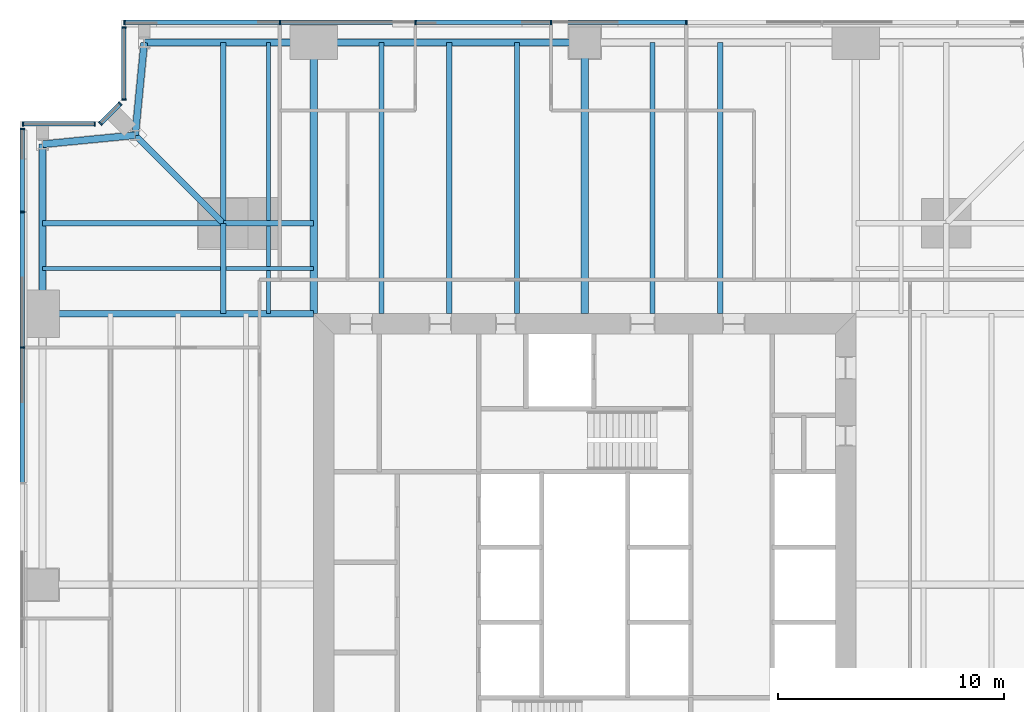
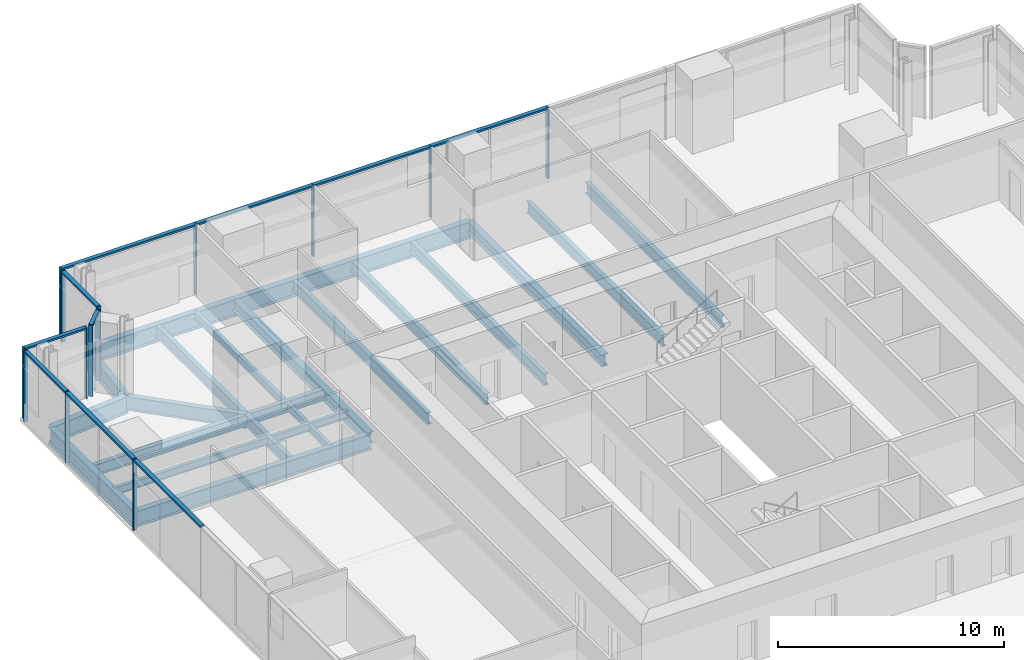
# One storey, part 6 of 14: 24 members, 23 beams, 5 elements without a shape of their own.
"""IFC4 building model written with IfcOpenShell, lengths in metres."""

import ifcopenshell
import ifcopenshell.guid

model = None  # the IFC model being written
_history = None  # IfcOwnerHistory: only IFC2X3 demands one
_inside = {}  # id of a spatial element -> (the spatial element, [elements in it])
_under = {}  # id of a project, library or spatial element -> (it, [spatial elements below it])
_declared = {}  # id of a project -> (the project, [libraries it declares])
_typed = {}  # id of a type object -> (the type object, [elements of that type])
_made_of = {}  # id of a material, layer set ... -> (it, [elements and type objects made of it])


def new_model(schema):
    """Start an empty IFC model of exactly this schema.

    Asked for "IFC4X3", IfcOpenShell would pick the latest addendum, in which some entities
    have other attributes; the version numbers below select the first issue.
    IFC2X3 requires an IfcOwnerHistory on every rooted entity: one is made here for all.
    """
    global model, _history
    if schema == "IFC4X3":
        model = ifcopenshell.file(schema_version=(4, 3, 0, 0))
    else:
        model = ifcopenshell.file(schema=schema)
    _inside.clear()
    _under.clear()
    _declared.clear()
    _typed.clear()
    _made_of.clear()
    _history = None
    if model.schema == "IFC2X3":
        org = make("IfcOrganization", Name="unknown")
        user = make(
            "IfcPersonAndOrganization",
            ThePerson=make("IfcPerson", FamilyName="unknown"),
            TheOrganization=org,
        )
        app = make(
            "IfcApplication",
            ApplicationDeveloper=org,
            Version="unknown",
            ApplicationFullName="unknown",
            ApplicationIdentifier="unknown",
        )
        _history = make(
            "IfcOwnerHistory",
            OwningUser=user,
            OwningApplication=app,
            ChangeAction="ADDED",
            CreationDate=0,
        )
    return model


def make(cls, **values):
    """One entity of the class cls with the attributes given. An attribute that is None is left unset."""
    return model.create_entity(
        cls, **{name: value for name, value in values.items() if value is not None}
    )


def rooted(cls, **values):
    """An entity with a GlobalId (a new one), such as an element, a storey or a relation."""
    return make(cls, GlobalId=ifcopenshell.guid.new(), OwnerHistory=_history, **values)


def si_unit(unit_type, name, prefix=None):
    """IfcSIUnit, for example si_unit("LENGTHUNIT", "METRE", prefix="MILLI")."""
    return make("IfcSIUnit", UnitType=unit_type, Prefix=prefix, Name=name)


def assignment(units):
    """IfcUnitAssignment: the units of a project."""
    return None if units is None else make("IfcUnitAssignment", Units=units)


def point(xyz):
    """IfcCartesianPoint."""
    return None if xyz is None else make("IfcCartesianPoint", Coordinates=xyz)


def direction(xyz):
    """IfcDirection."""
    return None if xyz is None else make("IfcDirection", DirectionRatios=xyz)


def frame(location, z_axis=None, x_axis=None):
    """IfcAxis2Placement3D, a coordinate frame: its origin and axes. An axis left out is left unset."""
    return make(
        "IfcAxis2Placement3D",
        Location=point(location),
        Axis=direction(z_axis),
        RefDirection=direction(x_axis),
    )


def frame_2d(location, x_axis=None):
    """IfcAxis2Placement2D, a coordinate frame in the plane: its origin and x axis."""
    return make(
        "IfcAxis2Placement2D", Location=point(location), RefDirection=direction(x_axis)
    )


def origin():
    """The frame at (0, 0, 0) with its axes left unset."""
    return frame((0.0, 0.0, 0.0))


def origin_2d():
    """The frame at (0, 0) in the plane with its x axis left unset."""
    return frame_2d((0.0, 0.0))


def place(relative_to, where):
    """IfcLocalPlacement: puts the frame where relative to a parent placement (None: the world)."""
    return make(
        "IfcLocalPlacement", PlacementRelTo=relative_to, RelativePlacement=where
    )


def context(
    kind, dimensions, precision=None, world=None, true_north=None, identifier=None
):
    """IfcGeometricRepresentationContext, for example the 3D "Model" context."""
    return make(
        "IfcGeometricRepresentationContext",
        ContextIdentifier=identifier,
        ContextType=kind,
        CoordinateSpaceDimension=dimensions,
        Precision=precision,
        WorldCoordinateSystem=world,
        TrueNorth=true_north,
    )


def subcontext(parent, identifier, kind, view, scale=None):
    """IfcGeometricRepresentationSubContext, for example "Body" below "Model"."""
    return make(
        "IfcGeometricRepresentationSubContext",
        ContextIdentifier=identifier,
        ContextType=kind,
        ParentContext=parent,
        TargetScale=scale,
        TargetView=view,
    )


def project(units=None, contexts=None):
    """IfcProject with its units and contexts."""
    return rooted(
        "IfcProject",
        Name="project",
        RepresentationContexts=contexts,
        UnitsInContext=assignment(units),
    )


def spatial(cls, under=None, at=None, **own):
    """A site, building, storey or space (cls), placed at a placement, below another one or the project."""
    s = rooted(cls, ObjectPlacement=at, **own)
    if under is not None:
        _under.setdefault(under.id(), (under, []))[1].append(s)
    return s


def profile(cls, at=None, kind="AREA", **sizes):
    """A parametric profile (cls). Its sizes go by their IFC names, for example OverallWidth=200.0."""
    return make(cls, ProfileType=kind, Position=at, **sizes)


def rectangle(**sizes):
    """IfcRectangleProfileDef."""
    return profile("IfcRectangleProfileDef", **sizes)


def i_section(**sizes):
    """IfcIShapeProfileDef."""
    return profile("IfcIShapeProfileDef", **sizes)


def extrude(swept, where, along, depth):
    """IfcExtrudedAreaSolid: the profile swept, set in the frame where, extruded along a direction by depth."""
    return make(
        "IfcExtrudedAreaSolid",
        SweptArea=swept,
        Position=where,
        ExtrudedDirection=direction(along),
        Depth=depth,
    )


def shape(context_of_items, identifier, shape_type, items):
    """IfcShapeRepresentation: the items that make up one representation, for example the "Body"."""
    return make(
        "IfcShapeRepresentation",
        ContextOfItems=context_of_items,
        RepresentationIdentifier=identifier,
        RepresentationType=shape_type,
        Items=items,
    )


def material(Name=None, Category=None):
    """IfcMaterial."""
    return make("IfcMaterial", Name=Name, Category=Category)


def material_profile(
    of_material, cross_section, Name=None, Category=None, Priority=None
):
    """IfcMaterialProfile: a cross section and its material."""
    return make(
        "IfcMaterialProfile",
        Name=Name,
        Material=of_material,
        Profile=cross_section,
        Priority=Priority,
        Category=Category,
    )


def profile_set(profiles, Name=None, composite=None):
    """IfcMaterialProfileSet."""
    return make(
        "IfcMaterialProfileSet",
        Name=Name,
        MaterialProfiles=profiles,
        CompositeProfile=composite,
    )


def made_of(thing, what):
    """Note that an element or type object is made of a material, layer set ...; save() writes the relation."""
    if what is not None:
        _made_of.setdefault(what.id(), (what, []))[1].append(thing)
    return thing


def type_object(cls, material=None, **own):
    """A type object (cls), such as IfcWallType, which elements share."""
    return made_of(rooted(cls, **own), material)


def element(
    cls,
    number,
    at=None,
    inside=None,
    cuts=None,
    type_object=None,
    material=None,
    context=None,
    identifier="Body",
    shape_type=None,
    held_by="IfcProductDefinitionShape",
    body=None,
    shapes=None,
    **own,
):
    """One element of the class cls, such as IfcWall. Its Tag is "e" and its number.

    at: its placement. inside: the storey or other place that contains it. cuts: it is an
    opening in that element (IfcRelVoidsElement). A single representation is given by context,
    identifier, shape_type and body (its items); several are given by shapes. held_by: the class
    of the entity that holds the representations. save() writes the other relations.
    """
    e = rooted(cls, Tag="e%d" % number, ObjectPlacement=at, **own)
    if body is not None:
        shapes = [shape(context, identifier, shape_type, body)]
    if shapes is not None:
        e.Representation = make(held_by, Representations=shapes)
    if inside is not None:
        _inside.setdefault(inside.id(), (inside, []))[1].append(e)
    if cuts is not None:
        rooted(
            "IfcRelVoidsElement", RelatingBuildingElement=cuts, RelatedOpeningElement=e
        )
    if type_object is not None:
        _typed.setdefault(type_object.id(), (type_object, []))[1].append(e)
    return made_of(e, material)


def aggregate(whole, parts):
    """IfcRelAggregates: a whole, such as a stair, and the parts it consists of."""
    return rooted("IfcRelAggregates", RelatingObject=whole, RelatedObjects=parts)


def save(model, path):
    """Write the relations noted so far, then the file.

    IfcRelAggregates (storeys below a building ...), IfcRelContainedInSpatialStructure (elements
    in a storey), IfcRelDefinesByType, IfcRelAssociatesMaterial and IfcRelDeclares: one each for
    every whole, place, type object, material and project.
    """
    for whole, parts in _under.values():
        aggregate(whole, parts)
    for where, things in _inside.values():
        rooted(
            "IfcRelContainedInSpatialStructure",
            RelatedElements=things,
            RelatingStructure=where,
        )
    for kind, things in _typed.values():
        rooted("IfcRelDefinesByType", RelatedObjects=things, RelatingType=kind)
    for what, things in _made_of.values():
        rooted("IfcRelAssociatesMaterial", RelatedObjects=things, RelatingMaterial=what)
    for by, libraries in _declared.values():
        rooted("IfcRelDeclares", RelatingContext=by, RelatedDefinitions=libraries)
    model.write(path)


model = new_model("IFC4")

# Units and contexts
model_context = context("Model", 3, precision=1e-05, world=origin(), true_north=direction((0.0, 1.0)))
body_context = subcontext(model_context, "Body", "Model", "MODEL_VIEW")
ifc_project = project(units=[si_unit("LENGTHUNIT", "METRE"), si_unit("AREAUNIT", "SQUARE_METRE"), si_unit("VOLUMEUNIT", "CUBIC_METRE"), si_unit("PLANEANGLEUNIT", "RADIAN"), si_unit("MASSUNIT", "GRAM", prefix="KILO")], contexts=[model_context])

# Site, building, storey
site_placement = place(None, origin())
site = spatial("IfcSite", under=ifc_project, at=site_placement, CompositionType="ELEMENT")
building_placement = place(site_placement, origin())
building = spatial("IfcBuilding", under=site, at=building_placement, Name="Fenwick Lantern Interchange", CompositionType="ELEMENT")
storey_placement = place(building_placement, frame((0.0, 0.0, 118.39990234375)))
storey = spatial("IfcBuildingStorey", under=building, at=storey_placement, Name="L27", CompositionType="ELEMENT", Elevation=118.39990234375)

# Beams
ifc_material_1 = material(Name="Steel ASTM A992 Grade 50", Category="steel")
ifc_material_profile_1 = material_profile(ifc_material_1, i_section(OverallWidth=0.3046875, OverallDepth=0.911865234375, WebThickness=0.015869140625, FlangeThickness=0.02392578125, at=origin_2d()), Name="W36X150")
ifc_profile_set_1 = profile_set([ifc_material_profile_1], Name="Steel ASTM A992 Grade 50")
beam_type_1 = type_object("IfcBeamType", Name="EDGE BEAM W36X150", PredefinedType="SPANDREL", material=ifc_profile_set_1)
beam_1_placement = place(storey_placement, frame((25.0, 49.0, -0.605712890625), z_axis=(-1.0, 0.0, 0.0), x_axis=(0.0, -1.0, 0.0)))
element("IfcBeam", 1, at=beam_1_placement, inside=storey, type_object=beam_type_1, Name="L27/FR/N/EB3", PredefinedType="SPANDREL", context=body_context, shape_type="SweptSolid", body=[
    extrude(i_section(OverallWidth=0.3046875, OverallDepth=0.911865234375, WebThickness=0.015869140625, FlangeThickness=0.02392578125, at=origin_2d()), origin(), (0.0, 0.0, 1.0), 12.0),
])
beam_2_placement = place(storey_placement, frame((13.0, 49.0, -0.605712890625), z_axis=(-1.0, 0.0, 0.0), x_axis=(0.0, -1.0, 0.0)))
element("IfcBeam", 2, at=beam_2_placement, inside=storey, type_object=beam_type_1, Name="L27/FR/N/EB4", PredefinedType="SPANDREL", context=body_context, shape_type="SweptSolid", body=[
    extrude(i_section(OverallWidth=0.3046875, OverallDepth=0.911865234375, WebThickness=0.015869140625, FlangeThickness=0.02392578125, at=origin_2d()), origin(), (0.0, 0.0, 1.0), 7.5),
])
for number, where, z_axis, x_axis, name in (
    (3, (5.5, 49.0, -0.605712890625), (-0.097074191287, -0.995277148028, 0.0), (0.995277148028, -0.097074191287, 0.0), "L27/FR/N/EBR1"),
    (4, (5.10009765625, 44.89990234375, -0.605712890625), (-0.995277148028, -0.097074191287, 0.0), (0.097074191287, -0.995277148028, 0.0), "L27/FR/N/EBR2"),
):
    element("IfcBeam", number, at=place(storey_placement, frame(where, z_axis=z_axis, x_axis=x_axis)), inside=storey, type_object=beam_type_1, Name=name, PredefinedType="SPANDREL", context=body_context, shape_type="SweptSolid", body=[
        extrude(i_section(OverallWidth=0.3046875, OverallDepth=0.911865234375, WebThickness=0.015869140625, FlangeThickness=0.02392578125, at=origin_2d()), origin(), (0.0, 0.0, 1.0), 4.11962890625),
    ])
beam_3_placement = place(storey_placement, frame((1.0, 44.5, -0.605712890625), z_axis=(0.0, -1.0, 0.0), x_axis=(1.0, 0.0, 0.0)))
element("IfcBeam", 5, at=beam_3_placement, inside=storey, type_object=beam_type_1, Name="L27/FR/W/EB1", PredefinedType="SPANDREL", context=body_context, shape_type="SweptSolid", body=[
    extrude(i_section(OverallWidth=0.3046875, OverallDepth=0.911865234375, WebThickness=0.015869140625, FlangeThickness=0.02392578125, at=origin_2d()), origin(), (0.0, 0.0, 1.0), 7.5),
])
ifc_material_profile_2 = material_profile(ifc_material_1, i_section(OverallWidth=0.22900390625, OverallDepth=0.612060546875, WebThickness=0.011962890625, FlangeThickness=0.01953125, at=origin_2d()), Name="W24X84")
ifc_profile_set_2 = profile_set([ifc_material_profile_2], Name="Steel ASTM A992 Grade 50")
beam_type_2 = type_object("IfcBeamType", Name="FLOOR BEAM W24X84", PredefinedType="BEAM", material=ifc_profile_set_2)
for number, where, z_axis, x_axis, name in (
    (6, (31.0, 49.0, -0.4560546875), (0.0, -1.0, 0.0), (1.0, 0.0, 0.0), "L27/FR/N/R03"),
    (7, (28.0, 49.0, -0.4560546875), (0.0, -1.0, 0.0), (1.0, 0.0, 0.0), "L27/FR/N/R04"),
    (8, (22.0, 49.0, -0.4560546875), (0.0, -1.0, 0.0), (1.0, 0.0, 0.0), "L27/FR/N/R06"),
    (9, (19.0, 49.0, -0.4560546875), (0.0, -1.0, 0.0), (1.0, 0.0, 0.0), "L27/FR/N/R07"),
    (10, (16.0, 49.0, -0.4560546875), (0.0, -1.0, 0.0), (1.0, 0.0, 0.0), "L27/FR/N/R08"),
):
    element("IfcBeam", number, at=place(storey_placement, frame(where, z_axis=z_axis, x_axis=x_axis)), inside=storey, type_object=beam_type_2, Name=name, PredefinedType="BEAM", context=body_context, shape_type="SweptSolid", body=[
        extrude(i_section(OverallWidth=0.22900390625, OverallDepth=0.612060546875, WebThickness=0.011962890625, FlangeThickness=0.01953125, at=origin_2d()), origin(), (0.0, 0.0, 1.0), 12.0),
    ])
ifc_material_profile_3 = material_profile(ifc_material_1, i_section(OverallWidth=0.177734375, OverallDepth=0.406494140625, WebThickness=0.0078125, FlangeThickness=0.012939453125, at=origin_2d()), Name="W16X40")
ifc_profile_set_3 = profile_set([ifc_material_profile_3], Name="Steel ASTM A992 Grade 50")
beam_type_3 = type_object("IfcBeamType", Name="INFILL BEAM W16X40", PredefinedType="JOIST", material=ifc_profile_set_3)
beam_4_placement = place(storey_placement, frame((1.0, 39.0, -0.35302734375), z_axis=(1.0, 0.0, 0.0), x_axis=(0.0, 1.0, 0.0)))
element("IfcBeam", 11, at=beam_4_placement, inside=storey, type_object=beam_type_3, Name="L27/FR/W/J1", PredefinedType="JOIST", context=body_context, shape_type="SweptSolid", body=[
    extrude(i_section(OverallWidth=0.177734375, OverallDepth=0.406494140625, WebThickness=0.0078125, FlangeThickness=0.012939453125, at=origin_2d()), origin(), (0.0, 0.0, 1.0), 7.885498046875),
])
beam_5_placement = place(storey_placement, frame((9.114501953125, 39.0, -0.35302734375), z_axis=(1.0, 0.0, 0.0), x_axis=(0.0, 1.0, 0.0)))
element("IfcBeam", 12, at=beam_5_placement, inside=storey, type_object=beam_type_3, Name="L27/FR/W/J2", PredefinedType="JOIST", context=body_context, shape_type="SweptSolid", body=[
    extrude(i_section(OverallWidth=0.177734375, OverallDepth=0.406494140625, WebThickness=0.0078125, FlangeThickness=0.012939453125, at=origin_2d()), origin(), (0.0, 0.0, 1.0), 3.885498046875),
])
beam_6_placement = place(storey_placement, frame((11.0, 49.0, -0.35302734375), z_axis=(0.0, -1.0, 0.0), x_axis=(1.0, 0.0, 0.0)))
element("IfcBeam", 13, at=beam_6_placement, inside=storey, type_object=beam_type_3, Name="L27/FR/W/J3", PredefinedType="JOIST", context=body_context, shape_type="SweptSolid", body=[
    extrude(i_section(OverallWidth=0.177734375, OverallDepth=0.406494140625, WebThickness=0.0078125, FlangeThickness=0.012939453125, at=origin_2d()), origin(), (0.0, 0.0, 1.0), 7.885498046875),
])
beam_7_placement = place(storey_placement, frame((11.0, 40.885498046875, -0.35302734375), z_axis=(0.0, -1.0, 0.0), x_axis=(1.0, 0.0, 0.0)))
element("IfcBeam", 14, at=beam_7_placement, inside=storey, type_object=beam_type_3, Name="L27/FR/W/J4", PredefinedType="JOIST", context=body_context, shape_type="SweptSolid", body=[
    extrude(i_section(OverallWidth=0.177734375, OverallDepth=0.406494140625, WebThickness=0.0078125, FlangeThickness=0.012939453125, at=origin_2d()), origin(), (0.0, 0.0, 1.0), 1.796630859375),
])
beam_8_placement = place(storey_placement, frame((11.0, 38.9111328125, -0.35302734375), z_axis=(0.0, -1.0, 0.0), x_axis=(1.0, 0.0, 0.0)))
element("IfcBeam", 15, at=beam_8_placement, inside=storey, type_object=beam_type_3, Name="L27/FR/W/J5", PredefinedType="JOIST", context=body_context, shape_type="SweptSolid", body=[
    extrude(i_section(OverallWidth=0.177734375, OverallDepth=0.406494140625, WebThickness=0.0078125, FlangeThickness=0.012939453125, at=origin_2d()), origin(), (0.0, 0.0, 1.0), 1.9111328125),
])
ifc_material_profile_4 = material_profile(ifc_material_1, i_section(OverallWidth=0.22900390625, OverallDepth=0.612060546875, WebThickness=0.011962890625, FlangeThickness=0.01953125, at=origin_2d()), Name="W24X84")
ifc_profile_set_4 = profile_set([ifc_material_profile_4], Name="Steel ASTM A992 Grade 50")
beam_type_4 = type_object("IfcBeamType", Name="MEGA COLUMN BEAM W24X84", PredefinedType="BEAM", material=ifc_profile_set_4)
for number, where, z_axis, x_axis, name in (
    (16, (9.0, 41.0, -0.4560546875), (-1.0, 0.0, 0.0), (0.0, -1.0, 0.0), "L27/FR/W/MB1"),
    (17, (9.0, 41.0, -0.4560546875), (0.0, 1.0, 0.0), (-1.0, 0.0, 0.0), "L27/FR/W/MB2"),
):
    element("IfcBeam", number, at=place(storey_placement, frame(where, z_axis=z_axis, x_axis=x_axis)), inside=storey, type_object=beam_type_4, Name=name, PredefinedType="BEAM", context=body_context, shape_type="SweptSolid", body=[
        extrude(i_section(OverallWidth=0.22900390625, OverallDepth=0.612060546875, WebThickness=0.011962890625, FlangeThickness=0.01953125, at=origin_2d()), origin(), (0.0, 0.0, 1.0), 8.0),
    ])
for number, where, z_axis, x_axis, name in (
    (18, (9.0, 41.0, -0.4560546875), (0.0, -1.0, 0.0), (1.0, 0.0, 0.0), "L27/FR/W/MB3"),
    (19, (9.0, 41.0, -0.4560546875), (1.0, 0.0, 0.0), (0.0, 1.0, 0.0), "L27/FR/W/MB4"),
):
    element("IfcBeam", number, at=place(storey_placement, frame(where, z_axis=z_axis, x_axis=x_axis)), inside=storey, type_object=beam_type_4, Name=name, PredefinedType="BEAM", context=body_context, shape_type="SweptSolid", body=[
        extrude(i_section(OverallWidth=0.22900390625, OverallDepth=0.612060546875, WebThickness=0.011962890625, FlangeThickness=0.01953125, at=origin_2d()), origin(), (0.0, 0.0, 1.0), 4.0),
    ])
ifc_material_profile_5 = material_profile(ifc_material_1, i_section(OverallWidth=0.32763671875, OverallDepth=0.622314453125, WebThickness=0.015380859375, FlangeThickness=0.0244140625, at=origin_2d()), Name="W24X131")
ifc_profile_set_5 = profile_set([ifc_material_profile_5], Name="Steel ASTM A992 Grade 50")
beam_type_5 = type_object("IfcBeamType", Name="MOMENT-CONNECTED GIRDER W24X131", PredefinedType="BEAM", material=ifc_profile_set_5)
for number, where, z_axis, x_axis, name in (
    (20, (25.0, 49.0, -0.4609375), (0.0, -1.0, 0.0), (1.0, 0.0, 0.0), "L27/FR/N/R05"),
    (21, (13.0, 49.0, -0.4609375), (0.0, -1.0, 0.0), (1.0, 0.0, 0.0), "L27/FR/N/R09"),
):
    element("IfcBeam", number, at=place(storey_placement, frame(where, z_axis=z_axis, x_axis=x_axis)), inside=storey, type_object=beam_type_5, Name=name, PredefinedType="BEAM", context=body_context, shape_type="SweptSolid", body=[
        extrude(i_section(OverallWidth=0.32763671875, OverallDepth=0.622314453125, WebThickness=0.015380859375, FlangeThickness=0.0244140625, at=origin_2d()), origin(), (0.0, 0.0, 1.0), 12.0),
    ])
ifc_material_profile_6 = material_profile(ifc_material_1, i_section(OverallWidth=0.2919921875, OverallDepth=0.845703125, WebThickness=0.015380859375, FlangeThickness=0.0244140625, at=origin_2d()), Name="W33X141")
ifc_profile_set_6 = profile_set([ifc_material_profile_6], Name="Steel ASTM A992 Grade 50")
beam_type_6 = type_object("IfcBeamType", Name="MOMENT-CONNECTED GIRDER W33X141", PredefinedType="BEAM", material=ifc_profile_set_6)
beam_9_placement = place(storey_placement, frame((1.0, 37.0, -0.57275390625), z_axis=(1.0, 0.0, 0.0), x_axis=(0.0, 1.0, 0.0)))
element("IfcBeam", 22, at=beam_9_placement, inside=storey, type_object=beam_type_6, Name="L27/FR/W/R01", PredefinedType="BEAM", context=body_context, shape_type="SweptSolid", body=[
    extrude(i_section(OverallWidth=0.2919921875, OverallDepth=0.845703125, WebThickness=0.015380859375, FlangeThickness=0.0244140625, at=origin_2d()), origin(), (0.0, 0.0, 1.0), 12.0),
])
ifc_material_profile_7 = material_profile(ifc_material_1, i_section(OverallWidth=0.2666015625, OverallDepth=0.7568359375, WebThickness=0.013916015625, FlangeThickness=0.019287109375, at=origin_2d()), Name="W30X108")
ifc_profile_set_7 = profile_set([ifc_material_profile_7], Name="Steel ASTM A992 Grade 50")
beam_type_7 = type_object("IfcBeamType", Name="NOTCH BEAM W30X108", PredefinedType="BEAM", material=ifc_profile_set_7)
beam_10_placement = place(storey_placement, frame((9.0, 41.0, -0.5283203125), z_axis=(-0.707106781187, 0.707106781187, 0.0), x_axis=(-0.707106781187, -0.707106781187, 0.0)))
element("IfcBeam", 23, at=beam_10_placement, inside=storey, type_object=beam_type_7, Name="L27/FR/W/TG", PredefinedType="BEAM", context=body_context, shape_type="SweptSolid", body=[
    extrude(i_section(OverallWidth=0.2666015625, OverallDepth=0.7568359375, WebThickness=0.013916015625, FlangeThickness=0.019287109375, at=origin_2d()), origin(), (0.0, 0.0, 1.0), 5.515380859375),
])

# Curtain wall, members
ifc_material_2 = material(Name="Aluminium curtain wall frame", Category="aluminium")
curtain_wall_type = type_object("IfcCurtainWallType", Name="OFFICE CURTAIN WALL", PredefinedType="USERDEFINED", material=ifc_material_2)
curtain_wall_1_placement = place(storey_placement, origin())
curtain_wall_1 = element("IfcCurtainWall", 24, at=curtain_wall_1_placement, inside=storey, type_object=curtain_wall_type, Name="Office curtain wall 09", ObjectType="OFFICE CURTAIN WALL", PredefinedType="USERDEFINED")
ifc_material_3 = material(Name="Aluminium extrusion", Category="aluminium")
ifc_material_profile_8 = material_profile(ifc_material_3, rectangle(XDim=0.199951171875, YDim=0.06494140625, at=origin_2d()), Name="OFFICE CURTAIN WALL MULLION 65 X 200")
ifc_profile_set_8 = profile_set([ifc_material_profile_8], Name="Aluminium extrusion")
member_type_1 = type_object("IfcMemberType", Name="OFFICE CURTAIN WALL MULLION 65 X 200", PredefinedType="MULLION", material=ifc_profile_set_8)
member_1_placement = place(storey_placement, frame((29.5, 49.89990234375, 0.0), z_axis=(0.0, 0.0, 1.0), x_axis=(0.0, -1.0, 0.0)))
member_1 = element("IfcMember", 25, at=member_1_placement, type_object=member_type_1, Name="L27/CW/09/M03", PredefinedType="MULLION", context=body_context, shape_type="SweptSolid", body=[
    extrude(rectangle(XDim=0.199951171875, YDim=0.06494140625, at=origin_2d()), origin(), (0.0, 0.0, 1.0), 3.85009765625),
])
member_2_placement = place(storey_placement, frame((23.5, 49.89990234375, 0.0), z_axis=(0.0, 0.0, 1.0), x_axis=(0.0, -1.0, 0.0)))
member_2 = element("IfcMember", 26, at=member_2_placement, type_object=member_type_1, Name="L27/CW/09/M04", PredefinedType="MULLION", context=body_context, shape_type="SweptSolid", body=[
    extrude(rectangle(XDim=0.199951171875, YDim=0.06494140625, at=origin_2d()), origin(), (0.0, 0.0, 1.0), 3.85009765625),
])
member_3_placement = place(storey_placement, frame((17.5, 49.89990234375, 0.0), z_axis=(0.0, 0.0, 1.0), x_axis=(0.0, -1.0, 0.0)))
member_3 = element("IfcMember", 27, at=member_3_placement, type_object=member_type_1, Name="L27/CW/09/M05", PredefinedType="MULLION", context=body_context, shape_type="SweptSolid", body=[
    extrude(rectangle(XDim=0.199951171875, YDim=0.06494140625, at=origin_2d()), origin(), (0.0, 0.0, 1.0), 3.85009765625),
])
member_4_placement = place(storey_placement, frame((11.5, 49.89990234375, 0.0), z_axis=(0.0, 0.0, 1.0), x_axis=(0.0, -1.0, 0.0)))
member_4 = element("IfcMember", 28, at=member_4_placement, type_object=member_type_1, Name="L27/CW/09/M06", PredefinedType="MULLION", context=body_context, shape_type="SweptSolid", body=[
    extrude(rectangle(XDim=0.199951171875, YDim=0.06494140625, at=origin_2d()), origin(), (0.0, 0.0, 1.0), 3.85009765625),
])
member_5_placement = place(storey_placement, frame((4.632568359375, 49.89990234375, 0.0), z_axis=(0.0, 0.0, 1.0), x_axis=(0.0, -1.0, 0.0)))
member_5 = element("IfcMember", 29, at=member_5_placement, type_object=member_type_1, Name="L27/CW/09/M07", PredefinedType="MULLION", context=body_context, shape_type="SweptSolid", body=[
    extrude(rectangle(XDim=0.199951171875, YDim=0.06494140625, at=origin_2d()), origin(), (0.0, 0.0, 1.0), 3.85009765625),
])

curtain_wall_2_placement = place(storey_placement, origin())
curtain_wall_2 = element("IfcCurtainWall", 30, at=curtain_wall_2_placement, inside=storey, type_object=curtain_wall_type, Name="Office curtain wall 10", ObjectType="OFFICE CURTAIN WALL", PredefinedType="USERDEFINED")
member_6_placement = place(storey_placement, frame((4.60009765625, 49.66748046875, 0.0), z_axis=(0.0, 0.0, 1.0), x_axis=(1.0, 0.0, 0.0)))
member_6 = element("IfcMember", 31, at=member_6_placement, type_object=member_type_1, Name="L27/CW/10/M00", PredefinedType="MULLION", context=body_context, shape_type="SweptSolid", body=[
    extrude(rectangle(XDim=0.199951171875, YDim=0.06494140625, at=origin_2d()), origin(), (0.0, 0.0, 1.0), 3.85009765625),
])
member_7_placement = place(storey_placement, frame((4.60009765625, 46.490966796875, 0.0), z_axis=(0.0, 0.0, 1.0), x_axis=(1.0, 0.0, 0.0)))
member_7 = element("IfcMember", 32, at=member_7_placement, type_object=member_type_1, Name="L27/CW/10/M01", PredefinedType="MULLION", context=body_context, shape_type="SweptSolid", body=[
    extrude(rectangle(XDim=0.199951171875, YDim=0.06494140625, at=origin_2d()), origin(), (0.0, 0.0, 1.0), 3.85009765625),
])

curtain_wall_3_placement = place(storey_placement, origin())
curtain_wall_3 = element("IfcCurtainWall", 33, at=curtain_wall_3_placement, inside=storey, type_object=curtain_wall_type, Name="Office curtain wall 11", ObjectType="OFFICE CURTAIN WALL", PredefinedType="USERDEFINED")
member_8_placement = place(storey_placement, frame((4.435546875, 46.294189453125, 0.0), z_axis=(0.0, 0.0, 1.0), x_axis=(0.707106781187, -0.707106781187, 0.0)))
member_8 = element("IfcMember", 34, at=member_8_placement, type_object=member_type_1, Name="L27/CW/11/M00", PredefinedType="MULLION", context=body_context, shape_type="SweptSolid", body=[
    extrude(rectangle(XDim=0.199951171875, YDim=0.06494140625, at=origin_2d()), origin(), (0.0, 0.0, 1.0), 3.85009765625),
])
member_9_placement = place(storey_placement, frame((3.564453125, 45.423095703125, 0.0), z_axis=(0.0, 0.0, 1.0), x_axis=(0.707106781187, -0.707106781187, 0.0)))
member_9 = element("IfcMember", 35, at=member_9_placement, type_object=member_type_1, Name="L27/CW/11/M01", PredefinedType="MULLION", context=body_context, shape_type="SweptSolid", body=[
    extrude(rectangle(XDim=0.199951171875, YDim=0.06494140625, at=origin_2d()), origin(), (0.0, 0.0, 1.0), 3.85009765625),
])

curtain_wall_4_placement = place(storey_placement, origin())
curtain_wall_4 = element("IfcCurtainWall", 36, at=curtain_wall_4_placement, inside=storey, type_object=curtain_wall_type, Name="Office curtain wall 12", ObjectType="OFFICE CURTAIN WALL", PredefinedType="USERDEFINED")
member_10_placement = place(storey_placement, frame((3.308837890625, 45.39990234375, 0.0), z_axis=(0.0, 0.0, 1.0), x_axis=(0.0, -1.0, 0.0)))
member_10 = element("IfcMember", 37, at=member_10_placement, type_object=member_type_1, Name="L27/CW/12/M00", PredefinedType="MULLION", context=body_context, shape_type="SweptSolid", body=[
    extrude(rectangle(XDim=0.199951171875, YDim=0.06494140625, at=origin_2d()), origin(), (0.0, 0.0, 1.0), 3.85009765625),
])
member_11_placement = place(storey_placement, frame((0.132568359375, 45.39990234375, 0.0), z_axis=(0.0, 0.0, 1.0), x_axis=(0.0, -1.0, 0.0)))
member_11 = element("IfcMember", 38, at=member_11_placement, type_object=member_type_1, Name="L27/CW/12/M01", PredefinedType="MULLION", context=body_context, shape_type="SweptSolid", body=[
    extrude(rectangle(XDim=0.199951171875, YDim=0.06494140625, at=origin_2d()), origin(), (0.0, 0.0, 1.0), 3.85009765625),
])

curtain_wall_5_placement = place(storey_placement, origin())
curtain_wall_5 = element("IfcCurtainWall", 39, at=curtain_wall_5_placement, inside=storey, type_object=curtain_wall_type, Name="Office curtain wall 13", ObjectType="OFFICE CURTAIN WALL", PredefinedType="USERDEFINED")
member_12_placement = place(storey_placement, frame((0.10009765625, 45.16748046875, 0.0), z_axis=(0.0, 0.0, 1.0), x_axis=(1.0, 0.0, 0.0)))
member_12 = element("IfcMember", 40, at=member_12_placement, type_object=member_type_1, Name="L27/CW/13/M00", PredefinedType="MULLION", context=body_context, shape_type="SweptSolid", body=[
    extrude(rectangle(XDim=0.199951171875, YDim=0.06494140625, at=origin_2d()), origin(), (0.0, 0.0, 1.0), 3.85009765625),
])
member_13_placement = place(storey_placement, frame((0.10009765625, 41.5, 0.0), z_axis=(0.0, 0.0, 1.0), x_axis=(1.0, 0.0, 0.0)))
member_13 = element("IfcMember", 41, at=member_13_placement, type_object=member_type_1, Name="L27/CW/13/M01", PredefinedType="MULLION", context=body_context, shape_type="SweptSolid", body=[
    extrude(rectangle(XDim=0.199951171875, YDim=0.06494140625, at=origin_2d()), origin(), (0.0, 0.0, 1.0), 3.85009765625),
])
member_14_placement = place(storey_placement, frame((0.10009765625, 35.5, 0.0), z_axis=(0.0, 0.0, 1.0), x_axis=(1.0, 0.0, 0.0)))
member_14 = element("IfcMember", 42, at=member_14_placement, type_object=member_type_1, Name="L27/CW/13/M02", PredefinedType="MULLION", context=body_context, shape_type="SweptSolid", body=[
    extrude(rectangle(XDim=0.199951171875, YDim=0.06494140625, at=origin_2d()), origin(), (0.0, 0.0, 1.0), 3.85009765625),
])

# Member
ifc_material_profile_9 = material_profile(ifc_material_3, rectangle(XDim=0.199951171875, YDim=0.10009765625, at=origin_2d()), Name="OFFICE CURTAIN WALL TRANSOM 100 X 200")
ifc_profile_set_9 = profile_set([ifc_material_profile_9], Name="Aluminium extrusion")
member_type_2 = type_object("IfcMemberType", Name="OFFICE CURTAIN WALL TRANSOM 100 X 200", PredefinedType="MULLION", material=ifc_profile_set_9)
member_15_placement = place(storey_placement, frame((29.467529296875, 49.89990234375, 3.800048828125), z_axis=(-1.0, 0.0, 0.0), x_axis=(0.0, -1.0, 0.0)))
member_15 = element("IfcMember", 43, at=member_15_placement, type_object=member_type_2, Name="L27/CW/09/T03", PredefinedType="MULLION", context=body_context, shape_type="SweptSolid", body=[
    extrude(rectangle(XDim=0.199951171875, YDim=0.10009765625, at=origin_2d()), origin(), (0.0, 0.0, 1.0), 5.93505859375),
])

member_16_placement = place(storey_placement, frame((23.467529296875, 49.89990234375, 3.800048828125), z_axis=(-1.0, 0.0, 0.0), x_axis=(0.0, -1.0, 0.0)))
member_16 = element("IfcMember", 44, at=member_16_placement, type_object=member_type_2, Name="L27/CW/09/T04", PredefinedType="MULLION", context=body_context, shape_type="SweptSolid", body=[
    extrude(rectangle(XDim=0.199951171875, YDim=0.10009765625, at=origin_2d()), origin(), (0.0, 0.0, 1.0), 5.93505859375),
])

member_17_placement = place(storey_placement, frame((17.467529296875, 49.89990234375, 3.800048828125), z_axis=(-1.0, 0.0, 0.0), x_axis=(0.0, -1.0, 0.0)))
member_17 = element("IfcMember", 45, at=member_17_placement, type_object=member_type_2, Name="L27/CW/09/T05", PredefinedType="MULLION", context=body_context, shape_type="SweptSolid", body=[
    extrude(rectangle(XDim=0.199951171875, YDim=0.10009765625, at=origin_2d()), origin(), (0.0, 0.0, 1.0), 5.93505859375),
])

member_18_placement = place(storey_placement, frame((11.467529296875, 49.89990234375, 3.800048828125), z_axis=(-1.0, 0.0, 0.0), x_axis=(0.0, -1.0, 0.0)))
member_18 = element("IfcMember", 46, at=member_18_placement, type_object=member_type_2, Name="L27/CW/09/T06", PredefinedType="MULLION", context=body_context, shape_type="SweptSolid", body=[
    extrude(rectangle(XDim=0.199951171875, YDim=0.10009765625, at=origin_2d()), origin(), (0.0, 0.0, 1.0), 6.802490234375),
])

aggregate(curtain_wall_1, [member_1, member_2, member_3, member_4, member_5, member_15, member_16, member_17, member_18])

member_19_placement = place(storey_placement, frame((4.60009765625, 49.635009765625, 3.800048828125), z_axis=(0.0, -1.0, 0.0), x_axis=(1.0, 0.0, 0.0)))
member_19 = element("IfcMember", 47, at=member_19_placement, type_object=member_type_2, Name="L27/CW/10/T00", PredefinedType="MULLION", context=body_context, shape_type="SweptSolid", body=[
    extrude(rectangle(XDim=0.199951171875, YDim=0.10009765625, at=origin_2d()), origin(), (0.0, 0.0, 1.0), 3.111328125),
])

aggregate(curtain_wall_2, [member_6, member_7, member_19])

member_20_placement = place(storey_placement, frame((4.41259765625, 46.271240234375, 3.800048828125), z_axis=(-0.707106781187, -0.707106781187, 0.0), x_axis=(0.707106781187, -0.707106781187, 0.0)))
member_20 = element("IfcMember", 48, at=member_20_placement, type_object=member_type_2, Name="L27/CW/11/T00", PredefinedType="MULLION", context=body_context, shape_type="SweptSolid", body=[
    extrude(rectangle(XDim=0.199951171875, YDim=0.10009765625, at=origin_2d()), origin(), (0.0, 0.0, 1.0), 1.1669921875),
])

aggregate(curtain_wall_3, [member_8, member_9, member_20])

member_21_placement = place(storey_placement, frame((3.2763671875, 45.39990234375, 3.800048828125), z_axis=(-1.0, 0.0, 0.0), x_axis=(0.0, -1.0, 0.0)))
member_21 = element("IfcMember", 49, at=member_21_placement, type_object=member_type_2, Name="L27/CW/12/T00", PredefinedType="MULLION", context=body_context, shape_type="SweptSolid", body=[
    extrude(rectangle(XDim=0.199951171875, YDim=0.10009765625, at=origin_2d()), origin(), (0.0, 0.0, 1.0), 3.111328125),
])

aggregate(curtain_wall_4, [member_10, member_11, member_21])

member_22_placement = place(storey_placement, frame((0.10009765625, 45.135009765625, 3.800048828125), z_axis=(0.0, -1.0, 0.0), x_axis=(1.0, 0.0, 0.0)))
member_22 = element("IfcMember", 50, at=member_22_placement, type_object=member_type_2, Name="L27/CW/13/T00", PredefinedType="MULLION", context=body_context, shape_type="SweptSolid", body=[
    extrude(rectangle(XDim=0.199951171875, YDim=0.10009765625, at=origin_2d()), origin(), (0.0, 0.0, 1.0), 3.6025390625),
])

member_23_placement = place(storey_placement, frame((0.10009765625, 41.467529296875, 3.800048828125), z_axis=(0.0, -1.0, 0.0), x_axis=(1.0, 0.0, 0.0)))
member_23 = element("IfcMember", 51, at=member_23_placement, type_object=member_type_2, Name="L27/CW/13/T01", PredefinedType="MULLION", context=body_context, shape_type="SweptSolid", body=[
    extrude(rectangle(XDim=0.199951171875, YDim=0.10009765625, at=origin_2d()), origin(), (0.0, 0.0, 1.0), 5.93505859375),
])

member_24_placement = place(storey_placement, frame((0.10009765625, 35.467529296875, 3.800048828125), z_axis=(0.0, -1.0, 0.0), x_axis=(1.0, 0.0, 0.0)))
member_24 = element("IfcMember", 52, at=member_24_placement, type_object=member_type_2, Name="L27/CW/13/T02", PredefinedType="MULLION", context=body_context, shape_type="SweptSolid", body=[
    extrude(rectangle(XDim=0.199951171875, YDim=0.10009765625, at=origin_2d()), origin(), (0.0, 0.0, 1.0), 5.93505859375),
])

aggregate(curtain_wall_5, [member_12, member_13, member_14, member_22, member_23, member_24])

save(model, "model.ifc")
